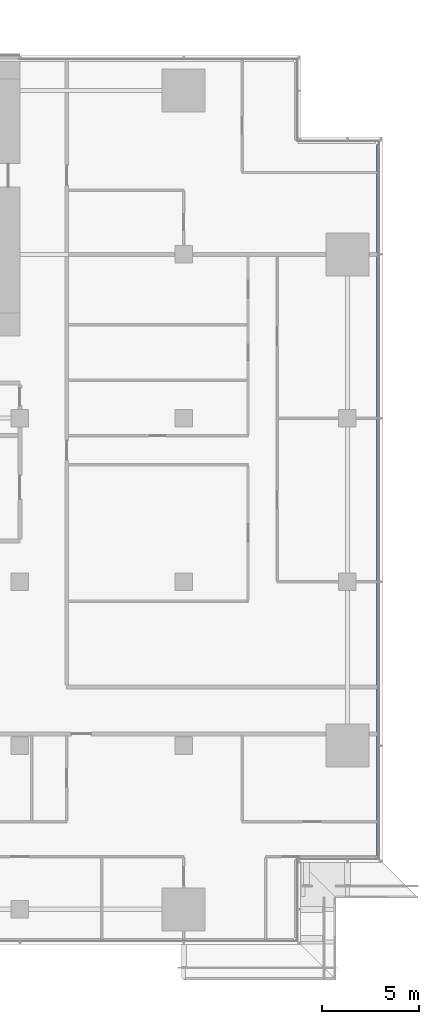
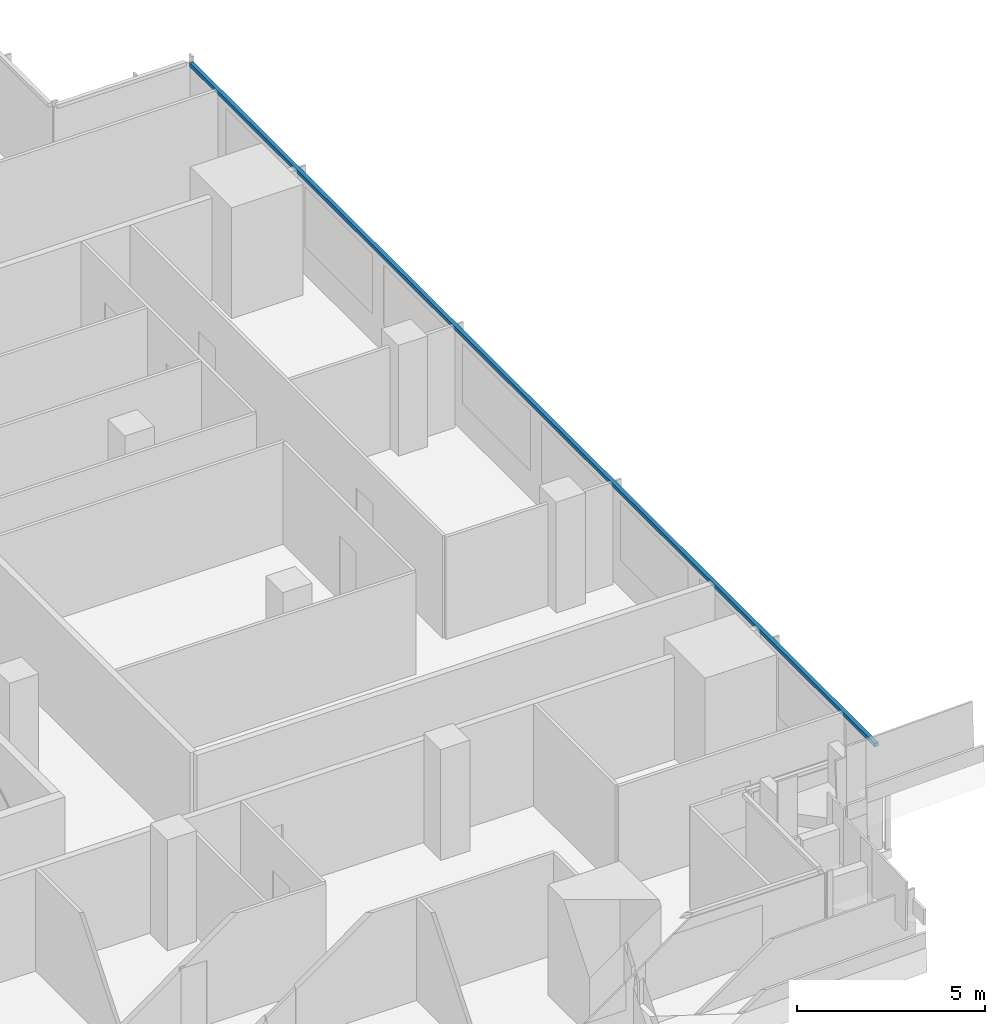
# One storey, part 14 of 30: 1 member, 1 element without a shape of its own.
"""IFC4 building model written with IfcOpenShell, lengths in metres."""

from ifc_helpers import new_model, si_unit, direction, frame, origin, origin_2d, place, context, subcontext, project, spatial, rectangle, extrude, material, material_profile, profile_set, type_object, element, aggregate, save


model = new_model("IFC4")

# Units and contexts
model_context = context("Model", 3, precision=1e-05, world=origin(), true_north=direction((0.0, 1.0)))
body_context = subcontext(model_context, "Body", "Model", "MODEL_VIEW")
ifc_project = project(units=[si_unit("LENGTHUNIT", "METRE"), si_unit("AREAUNIT", "SQUARE_METRE"), si_unit("VOLUMEUNIT", "CUBIC_METRE"), si_unit("PLANEANGLEUNIT", "RADIAN"), si_unit("MASSUNIT", "GRAM", prefix="KILO")], contexts=[model_context])

# Site, building, storey
site_placement = place(None, origin())
site = spatial("IfcSite", under=ifc_project, at=site_placement, CompositionType="ELEMENT")
building_placement = place(site_placement, origin())
building = spatial("IfcBuilding", under=site, at=building_placement, Name="Saffron Gate Tower", CompositionType="ELEMENT")
storey_placement = place(building_placement, frame((0.0, 0.0, 69.60009765625)))
storey = spatial("IfcBuildingStorey", under=building, at=storey_placement, Name="L16", CompositionType="ELEMENT", Elevation=69.60009765625)

# Curtain wall, member
ifc_material = material(Name="Aluminium, bronze anodised", Category="aluminium")
curtain_wall_type = type_object("IfcCurtainWallType", Name="CWS2 curtain wall side facades", PredefinedType="NOTDEFINED", material=ifc_material)
curtain_wall_placement = place(storey_placement, origin())
curtain_wall = element("IfcCurtainWall", 1, at=curtain_wall_placement, inside=storey, type_object=curtain_wall_type, Name="CWS2 run 4", PredefinedType="NOTDEFINED")
ifc_material_profile = material_profile(ifc_material, rectangle(XDim=0.1201171875, YDim=0.1201171875, at=origin_2d()))
ifc_profile_set = profile_set([ifc_material_profile], Name="Aluminium, bronze anodised")
member_type = type_object("IfcMemberType", Name="CWS2 head transom", PredefinedType="USERDEFINED", material=ifc_profile_set)
member_placement = place(storey_placement, frame((126.951904296875, 34.568115234375, 3.260009765625), z_axis=(0.0, 1.0, 0.0), x_axis=(-1.0, 0.0, 0.0)))
member = element("IfcMember", 2, at=member_placement, type_object=member_type, Name="CWS2 head transom", ObjectType="TRANSOM", PredefinedType="USERDEFINED", context=body_context, shape_type="SweptSolid", body=[
    extrude(rectangle(XDim=0.1201171875, YDim=0.1201171875, at=origin_2d()), origin(), (0.0, 0.0, 1.0), 36.4638671875),
])
aggregate(curtain_wall, [member])

save(model, "model.ifc")
